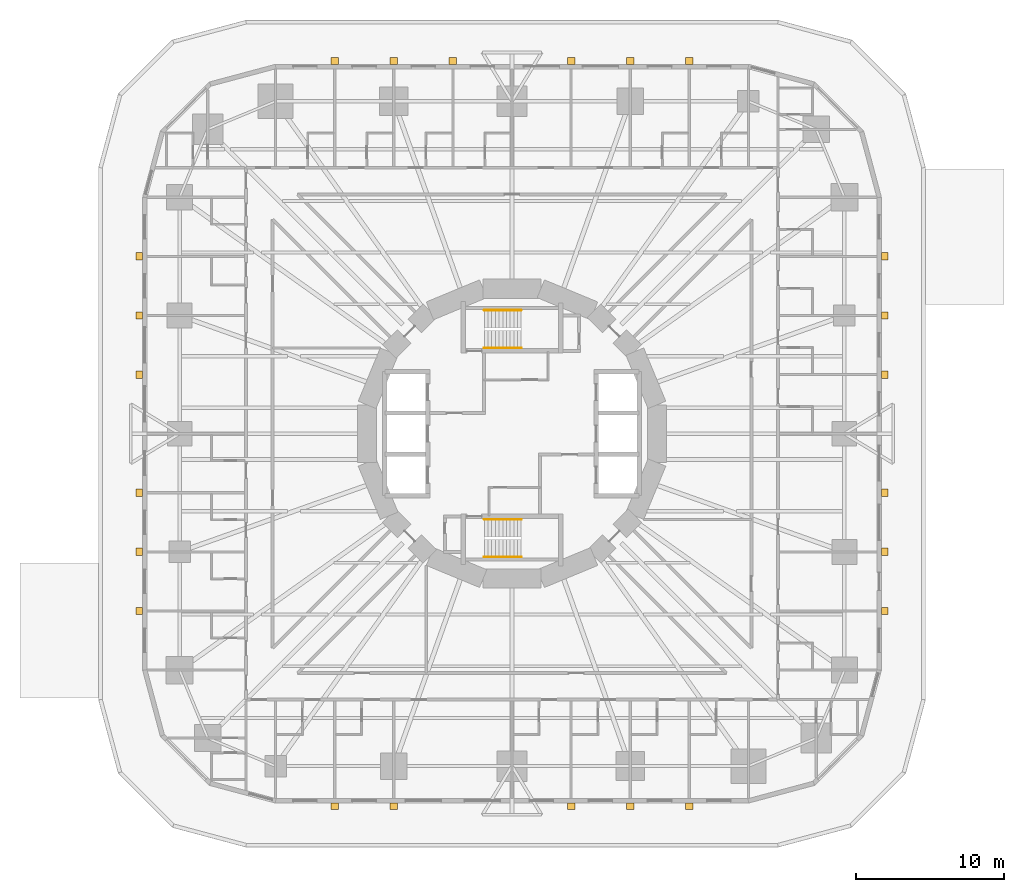
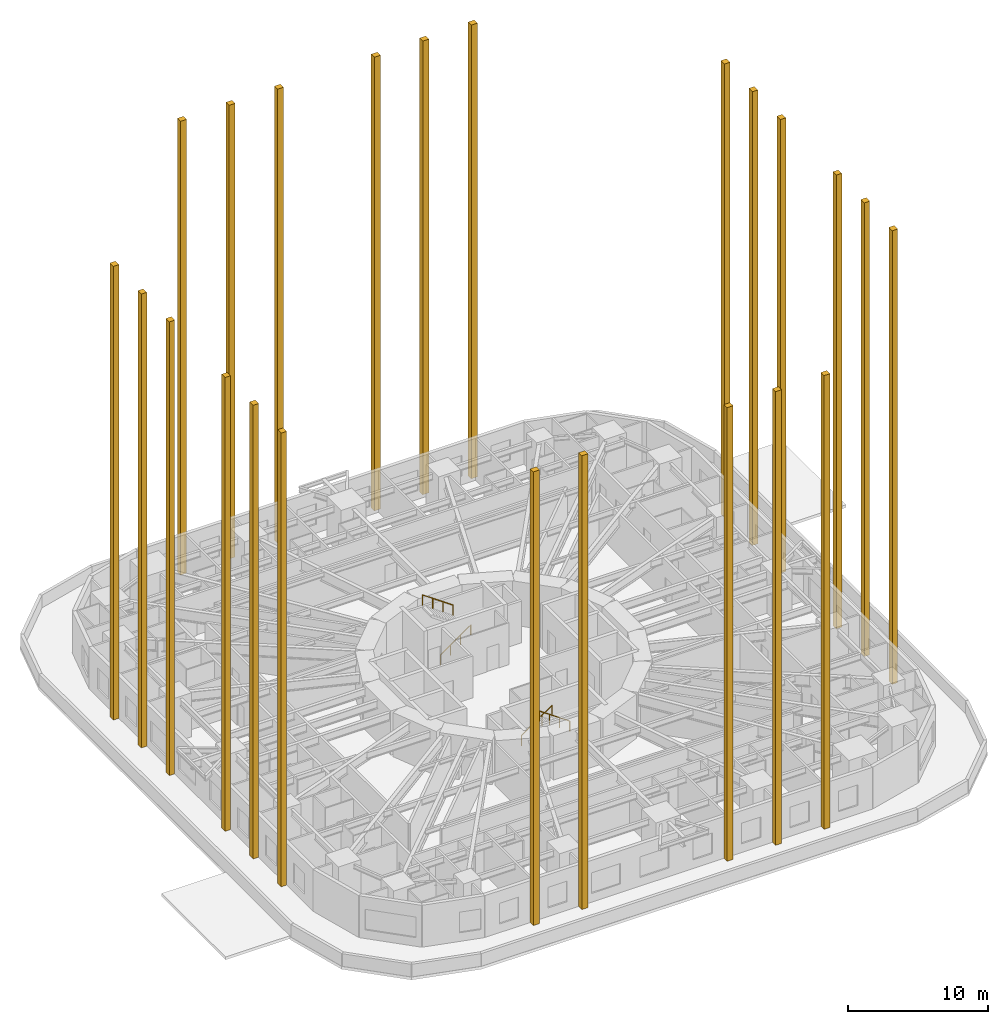
# One storey, part 13 of 13: 23 coverings, 4 railings.
"""IFC4 building model written with IfcOpenShell, lengths in metres."""

from ifc_helpers import new_model, si_unit, direction, frame, origin, origin_2d, place, context, subcontext, project, spatial, rectangle, circle, extrude, material, layer, layer_set, type_object, element, save


model = new_model("IFC4")

# Units and contexts
model_context = context("Model", 3, precision=1e-05, world=origin(), true_north=direction((0.0, 1.0)))
body_context = subcontext(model_context, "Body", "Model", "MODEL_VIEW")
ifc_project = project(units=[si_unit("LENGTHUNIT", "METRE"), si_unit("AREAUNIT", "SQUARE_METRE"), si_unit("VOLUMEUNIT", "CUBIC_METRE"), si_unit("PLANEANGLEUNIT", "RADIAN"), si_unit("MASSUNIT", "GRAM", prefix="KILO")], contexts=[model_context])

# Site, building, storey
site_placement = place(None, origin())
site = spatial("IfcSite", under=ifc_project, at=site_placement, CompositionType="ELEMENT")
building_placement = place(site_placement, origin())
building = spatial("IfcBuilding", under=site, at=building_placement, Name="Nakasero Lantern House", CompositionType="ELEMENT")
storey_placement = place(building_placement, frame((0.0, 0.0, 16.0)))
storey = spatial("IfcBuildingStorey", under=building, at=storey_placement, Name="L03", CompositionType="ELEMENT", Elevation=16.0)

# Coverings
ifc_material_1 = material(Name="Concrete C40/50 precast", Category="concrete")
ifc_layer = layer(ifc_material_1, 0.449951171875)
ifc_layer_set = layer_set([ifc_layer], Name="Buttress pier 500x450")
covering_type = type_object("IfcCoveringType", Name="Buttress pier 500x450", PredefinedType="CLADDING", material=ifc_layer_set)
for number, where, z_axis, x_axis, name in (
    (1, (25.22509765625, -12.0, 0.0), (0.0, 0.0, 1.0), (1.0, 0.0, 0.0), "Buttress pier B1 0-00"),
    (2, (25.22509765625, -8.0, 0.0), (0.0, 0.0, 1.0), (1.0, 0.0, 0.0), "Buttress pier B1 0-01"),
    (3, (25.22509765625, -4.0, 0.0), (0.0, 0.0, 1.0), (1.0, 0.0, 0.0), "Buttress pier B1 0-02"),
    (4, (25.22509765625, 4.0, 0.0), (0.0, 0.0, 1.0), (1.0, 0.0, 0.0), "Buttress pier B1 0-03"),
    (5, (25.22509765625, 8.0, 0.0), (0.0, 0.0, 1.0), (1.0, 0.0, 0.0), "Buttress pier B1 0-04"),
    (6, (25.22509765625, 12.0, 0.0), (0.0, 0.0, 1.0), (1.0, 0.0, 0.0), "Buttress pier B1 0-05"),
    (7, (12.0, 25.22509765625, 0.0), (0.0, 0.0, 1.0), (0.0, 1.0, 0.0), "Buttress pier B1 1-00"),
    (8, (8.0, 25.22509765625, 0.0), (0.0, 0.0, 1.0), (0.0, 1.0, 0.0), "Buttress pier B1 1-01"),
    (9, (4.0, 25.22509765625, 0.0), (0.0, 0.0, 1.0), (0.0, 1.0, 0.0), "Buttress pier B1 1-02"),
    (10, (-4.0, 25.22509765625, 0.0), (0.0, 0.0, 1.0), (0.0, 1.0, 0.0), "Buttress pier B1 1-03"),
    (11, (-8.0, 25.22509765625, 0.0), (0.0, 0.0, 1.0), (0.0, 1.0, 0.0), "Buttress pier B1 1-04"),
    (12, (-12.0, 25.22509765625, 0.0), (0.0, 0.0, 1.0), (0.0, 1.0, 0.0), "Buttress pier B1 1-05"),
    (13, (-25.22509765625, 12.0, 0.0), (0.0, 0.0, 1.0), (-1.0, 0.0, 0.0), "Buttress pier B1 2-00"),
    (14, (-25.22509765625, 8.0, 0.0), (0.0, 0.0, 1.0), (-1.0, 0.0, 0.0), "Buttress pier B1 2-01"),
    (15, (-25.22509765625, 4.0, 0.0), (0.0, 0.0, 1.0), (-1.0, 0.0, 0.0), "Buttress pier B1 2-02"),
    (16, (-25.22509765625, -4.0, 0.0), (0.0, 0.0, 1.0), (-1.0, 0.0, 0.0), "Buttress pier B1 2-03"),
    (17, (-25.22509765625, -8.0, 0.0), (0.0, 0.0, 1.0), (-1.0, 0.0, 0.0), "Buttress pier B1 2-04"),
    (18, (-25.22509765625, -12.0, 0.0), (0.0, 0.0, 1.0), (-1.0, 0.0, 0.0), "Buttress pier B1 2-05"),
    (19, (-12.0, -25.22509765625, 0.0), (0.0, 0.0, 1.0), (0.0, -1.0, 0.0), "Buttress pier B1 3-00"),
    (20, (-8.0, -25.22509765625, 0.0), (0.0, 0.0, 1.0), (0.0, -1.0, 0.0), "Buttress pier B1 3-01"),
    (21, (4.0, -25.22509765625, 0.0), (0.0, 0.0, 1.0), (0.0, -1.0, 0.0), "Buttress pier B1 3-02"),
    (22, (8.0, -25.22509765625, 0.0), (0.0, 0.0, 1.0), (0.0, -1.0, 0.0), "Buttress pier B1 3-03"),
    (23, (12.0, -25.22509765625, 0.0), (0.0, 0.0, 1.0), (0.0, -1.0, 0.0), "Buttress pier B1 3-04"),
):
    element("IfcCovering", number, at=place(storey_placement, frame(where, z_axis=z_axis, x_axis=x_axis)), inside=storey, type_object=covering_type, Name=name, PredefinedType="CLADDING", context=body_context, shape_type="SweptSolid", body=[
        extrude(rectangle(XDim=0.449951171875, YDim=0.5, at=origin_2d()), origin(), (0.0, 0.0, 1.0), 39.60009765625),
    ])

# Railings
ifc_material_2 = material(Name="Stainless steel 316", Category="steel")
railing_type = type_object("IfcRailingType", Name="Stair handrail 900", PredefinedType="HANDRAIL", material=ifc_material_2)
railing_1_placement = place(storey_placement, frame((-1.875, 5.800048828125, 0.175048828125)))
element("IfcRailing", 24, at=railing_1_placement, inside=storey, type_object=railing_type, Name="Handrail ST1 L03 flight 1", PredefinedType="HANDRAIL", context=body_context, shape_type="SweptSolid", body=[
    extrude(circle(Radius=0.02392578125, at=origin_2d()), frame((0.0, 0.0, 0.8759765625), z_axis=(0.819231920519, 0.0, 0.573462344363), x_axis=(0.0, 1.0, 0.0)), (0.0, 0.0, 1.0), 3.0517578125),
    extrude(circle(Radius=0.02099609375, at=origin_2d()), origin(), (0.0, 0.0, 1.0), 0.851806640625),
    extrude(circle(Radius=0.02099609375, at=origin_2d()), frame((0.833251953125, 0.0, 0.583251953125)), (0.0, 0.0, 1.0), 0.851806640625),
    extrude(circle(Radius=0.02099609375, at=origin_2d()), frame((1.666748046875, 0.0, 1.166748046875)), (0.0, 0.0, 1.0), 0.851806640625),
    extrude(circle(Radius=0.02099609375, at=origin_2d()), frame((2.5, 0.0, 1.75)), (0.0, 0.0, 1.0), 0.851806640625),
])
railing_2_placement = place(storey_placement, frame((0.625, 8.35009765625, 2.10009765625)))
element("IfcRailing", 25, at=railing_2_placement, inside=storey, type_object=railing_type, Name="Handrail ST1 L03 flight 2", PredefinedType="HANDRAIL", context=body_context, shape_type="SweptSolid", body=[
    extrude(circle(Radius=0.02392578125, at=origin_2d()), frame((0.0, 0.0, 0.8759765625), z_axis=(-0.819231920519, 0.0, 0.573462344363), x_axis=(0.0, -1.0, 0.0)), (0.0, 0.0, 1.0), 3.0517578125),
    extrude(circle(Radius=0.02099609375, at=origin_2d()), origin(), (0.0, 0.0, 1.0), 0.851806640625),
    extrude(circle(Radius=0.02099609375, at=origin_2d()), frame((-0.833251953125, 0.0, 0.583251953125)), (0.0, 0.0, 1.0), 0.851806640625),
    extrude(circle(Radius=0.02099609375, at=origin_2d()), frame((-1.666748046875, 0.0, 1.166748046875)), (0.0, 0.0, 1.0), 0.851806640625),
    extrude(circle(Radius=0.02099609375, at=origin_2d()), frame((-2.5, 0.0, 1.75)), (0.0, 0.0, 1.0), 0.851806640625),
])
railing_3_placement = place(storey_placement, frame((-1.875, -5.800048828125, 0.175048828125)))
element("IfcRailing", 26, at=railing_3_placement, inside=storey, type_object=railing_type, Name="Handrail ST2 L03 flight 1", PredefinedType="HANDRAIL", context=body_context, shape_type="SweptSolid", body=[
    extrude(circle(Radius=0.02392578125, at=origin_2d()), frame((0.0, 0.0, 0.8759765625), z_axis=(0.819231920519, 0.0, 0.573462344363), x_axis=(0.0, 1.0, 0.0)), (0.0, 0.0, 1.0), 3.0517578125),
    extrude(circle(Radius=0.02099609375, at=origin_2d()), origin(), (0.0, 0.0, 1.0), 0.851806640625),
    extrude(circle(Radius=0.02099609375, at=origin_2d()), frame((0.833251953125, 0.0, 0.583251953125)), (0.0, 0.0, 1.0), 0.851806640625),
    extrude(circle(Radius=0.02099609375, at=origin_2d()), frame((1.666748046875, 0.0, 1.166748046875)), (0.0, 0.0, 1.0), 0.851806640625),
    extrude(circle(Radius=0.02099609375, at=origin_2d()), frame((2.5, 0.0, 1.75)), (0.0, 0.0, 1.0), 0.851806640625),
])
railing_4_placement = place(storey_placement, frame((0.625, -8.35009765625, 2.10009765625)))
element("IfcRailing", 27, at=railing_4_placement, inside=storey, type_object=railing_type, Name="Handrail ST2 L03 flight 2", PredefinedType="HANDRAIL", context=body_context, shape_type="SweptSolid", body=[
    extrude(circle(Radius=0.02392578125, at=origin_2d()), frame((0.0, 0.0, 0.8759765625), z_axis=(-0.819231920519, 0.0, 0.573462344363), x_axis=(0.0, -1.0, 0.0)), (0.0, 0.0, 1.0), 3.0517578125),
    extrude(circle(Radius=0.02099609375, at=origin_2d()), origin(), (0.0, 0.0, 1.0), 0.851806640625),
    extrude(circle(Radius=0.02099609375, at=origin_2d()), frame((-0.833251953125, 0.0, 0.583251953125)), (0.0, 0.0, 1.0), 0.851806640625),
    extrude(circle(Radius=0.02099609375, at=origin_2d()), frame((-1.666748046875, 0.0, 1.166748046875)), (0.0, 0.0, 1.0), 0.851806640625),
    extrude(circle(Radius=0.02099609375, at=origin_2d()), frame((-2.5, 0.0, 1.75)), (0.0, 0.0, 1.0), 0.851806640625),
])

save(model, "model.ifc")
